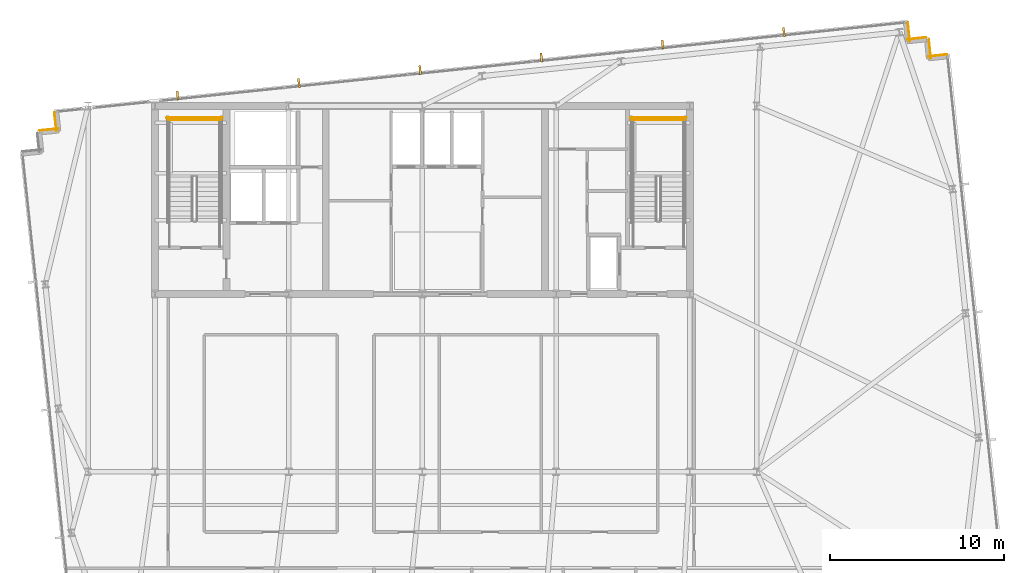
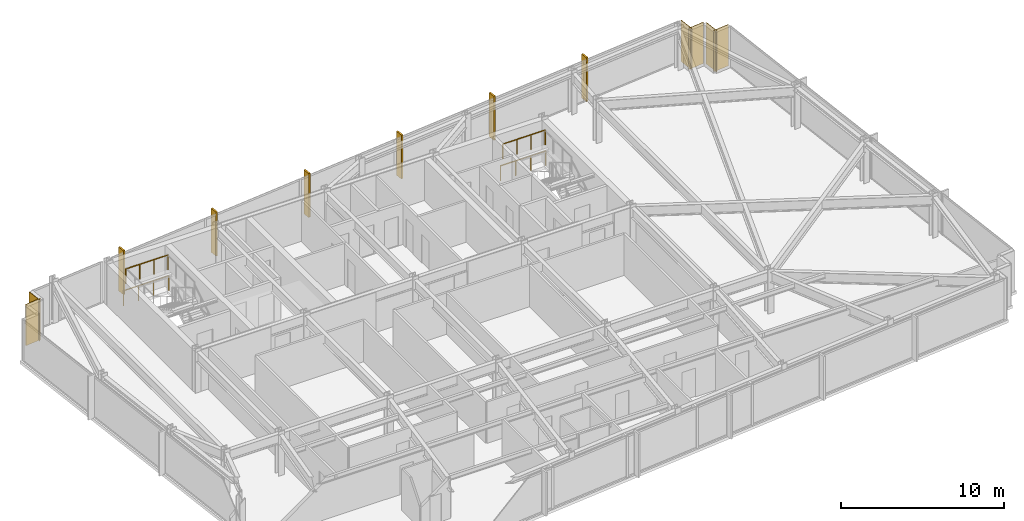
# One storey, part 32 of 32: 6 coverings, 6 shading devices, 4 railings.
"""IFC4 building model written with IfcOpenShell, lengths in metres."""

from ifc_helpers import new_model, si_unit, direction, frame, frame_2d, origin, origin_2d, place, context, subcontext, project, spatial, rectangle, circle, extrude, material, layer, layer_set, type_object, element, save


model = new_model("IFC4")

# Units and contexts
model_context = context("Model", 3, precision=1e-05, world=origin(), true_north=direction((0.0, 1.0)))
body_context = subcontext(model_context, "Body", "Model", "MODEL_VIEW")
ifc_project = project(units=[si_unit("LENGTHUNIT", "METRE"), si_unit("AREAUNIT", "SQUARE_METRE"), si_unit("VOLUMEUNIT", "CUBIC_METRE"), si_unit("PLANEANGLEUNIT", "RADIAN"), si_unit("MASSUNIT", "GRAM", prefix="KILO")], contexts=[model_context])

# Site, building, storey
site_placement = place(None, origin())
site = spatial("IfcSite", under=ifc_project, at=site_placement, CompositionType="ELEMENT")
building_placement = place(site_placement, origin())
building = spatial("IfcBuilding", under=site, at=building_placement, Name="Yelkora Congress Tower", CompositionType="ELEMENT")
storey_placement = place(building_placement, frame((0.0, 0.0, 211.10009765625)))
storey = spatial("IfcBuildingStorey", under=building, at=storey_placement, Name="L58", CompositionType="ELEMENT", Elevation=211.10009765625)

# Coverings
ifc_material_1 = material(Name="Anatolian bush-hammered limestone", Category="masonry")
ifc_layer_1 = layer(ifc_material_1, 0.0400390625)
ifc_layer_set_1 = layer_set([ifc_layer_1], Name="Anatolian bush-hammered limestone")
covering_type = type_object("IfcCoveringType", Name="COV-CLAD-SPANDREL-40", PredefinedType="CLADDING", material=ifc_layer_set_1)
for number, where, z_axis, x_axis, name in (
    (1, (16.406005859375, 44.7880859375, 0.0), (0.0, 0.0, 1.0), (0.994544300928, 0.104315068386, 0.0), "L58 Anatolian Limestone Cladding EW-L58-SR08"),
    (2, (17.379638671875, 44.75439453125, 0.0), (0.0, 0.0, 1.0), (-0.104534592565, 0.994521251134, 0.0), "L58 Anatolian Limestone Cladding EW-L58-SR09"),
    (3, (66.284912109375, 51.000732421875, 0.0), (0.0, 0.0, 1.0), (0.104534592565, -0.994521251134, 0.0), "L58 Anatolian Limestone Cladding EW-L58-SR11"),
):
    element("IfcCovering", number, at=place(storey_placement, frame(where, z_axis=z_axis, x_axis=x_axis)), inside=storey, type_object=covering_type, Name=name, PredefinedType="CLADDING", context=body_context, shape_type="SweptSolid", body=[
        extrude(rectangle(XDim=1.10009765625, YDim=0.0400390625, at=frame_2d((0.550048828125, 0.0))), origin(), (0.0, 0.0, 1.0), 3.079833984375),
    ])
covering_placement = place(storey_placement, frame((66.25146484375, 50.02685546875, 0.0), z_axis=(0.0, 0.0, 1.0), x_axis=(0.994518825066, 0.104557671117, 0.0)))
element("IfcCovering", 4, at=covering_placement, inside=storey, type_object=covering_type, Name="L58 Anatolian Limestone Cladding EW-L58-SR12", PredefinedType="CLADDING", context=body_context, shape_type="SweptSolid", body=[
    extrude(rectangle(XDim=1.099853515625, YDim=0.0400390625, at=frame_2d((0.5498046875, 0.0))), origin(), (0.0, 0.0, 1.0), 3.079833984375),
])
for number, where, z_axis, x_axis, name in (
    (5, (67.49365234375, 50.021728515625, 0.0), (0.0, 0.0, 1.0), (0.104534592565, -0.994521251134, 0.0), "L58 Anatolian Limestone Cladding EW-L58-SR13"),
    (6, (67.460205078125, 49.0478515625, 0.0), (0.0, 0.0, 1.0), (0.994521251134, 0.104534592565, 0.0), "L58 Anatolian Limestone Cladding EW-L58-SR14"),
):
    element("IfcCovering", number, at=place(storey_placement, frame(where, z_axis=z_axis, x_axis=x_axis)), inside=storey, type_object=covering_type, Name=name, PredefinedType="CLADDING", context=body_context, shape_type="SweptSolid", body=[
        extrude(rectangle(XDim=1.10009765625, YDim=0.0400390625, at=frame_2d((0.550048828125, 0.0))), origin(), (0.0, 0.0, 1.0), 3.079833984375),
    ])

# Railings
ifc_material_2 = material(Name="Painted galvanised steel stair well guard with vertical infill", Category="steel")
ifc_layer_2 = layer(ifc_material_2, 0.06005859375)
ifc_layer_set_2 = layer_set([ifc_layer_2], Name="Painted galvanised steel stair well guard with vertical infill")
railing_type = type_object("IfcRailingType", Name="RAIL-STAIR-GUARD-1120", PredefinedType="GUARDRAIL", material=ifc_layer_set_2)
railing_1_placement = place(storey_placement, frame((26.820068359375, 45.419921875, 1.64990234375)))
element("IfcRailing", 7, at=railing_1_placement, inside=storey, type_object=railing_type, Name="ST-01 L58 Stair Well Guardrail 5", PredefinedType="GUARDRAIL", context=body_context, shape_type="SweptSolid", body=[
    extrude(circle(Radius=0.02392578125, at=origin_2d()), frame((0.0, 0.0, 1.09619140625), z_axis=(-1.0, 0.0, 0.0), x_axis=(0.0, -1.0, 0.0)), (0.0, 0.0, 1.0), 3.0),
    extrude(circle(Radius=0.02099609375, at=origin_2d()), origin(), (0.0, 0.0, 1.0), 1.072021484375),
    extrude(circle(Radius=0.02099609375, at=origin_2d()), frame((-1.0, 0.0, 0.0)), (0.0, 0.0, 1.0), 1.072021484375),
    extrude(circle(Radius=0.02099609375, at=origin_2d()), frame((-2.0, 0.0, 0.0)), (0.0, 0.0, 1.0), 1.072021484375),
    extrude(circle(Radius=0.02099609375, at=origin_2d()), frame((-3.0, 0.0, 0.0)), (0.0, 0.0, 1.0), 1.072021484375),
])
railing_2_placement = place(storey_placement, frame((26.919921875, 45.52001953125, 0.0)))
element("IfcRailing", 8, at=railing_2_placement, inside=storey, type_object=railing_type, Name="ST-01 L58 Stair Well Guardrail 12", PredefinedType="GUARDRAIL", context=body_context, shape_type="SweptSolid", body=[
    extrude(circle(Radius=0.02392578125, at=origin_2d()), frame((0.0, 0.0, 1.09619140625), z_axis=(-1.0, 0.0, 0.0), x_axis=(0.0, -1.0, 0.0)), (0.0, 0.0, 1.0), 3.199951171875),
    extrude(circle(Radius=0.02099609375, at=origin_2d()), origin(), (0.0, 0.0, 1.0), 1.072021484375),
    extrude(circle(Radius=0.02099609375, at=origin_2d()), frame((-1.066650390625, 0.0, 0.0)), (0.0, 0.0, 1.0), 1.072021484375),
    extrude(circle(Radius=0.02099609375, at=origin_2d()), frame((-2.13330078125, 0.0, 0.0)), (0.0, 0.0, 1.0), 1.072021484375),
    extrude(circle(Radius=0.02099609375, at=origin_2d()), frame((-3.199951171875, 0.0, 0.0)), (0.0, 0.0, 1.0), 1.072021484375),
])
railing_3_placement = place(storey_placement, frame((53.4599609375, 45.419921875, 1.64990234375)))
element("IfcRailing", 9, at=railing_3_placement, inside=storey, type_object=railing_type, Name="ST-02 L58 Stair Well Guardrail 5", PredefinedType="GUARDRAIL", context=body_context, shape_type="SweptSolid", body=[
    extrude(circle(Radius=0.02392578125, at=origin_2d()), frame((0.0, 0.0, 1.09619140625), z_axis=(-1.0, 0.0, 0.0), x_axis=(0.0, -1.0, 0.0)), (0.0, 0.0, 1.0), 3.0),
    extrude(circle(Radius=0.02099609375, at=origin_2d()), origin(), (0.0, 0.0, 1.0), 1.072021484375),
    extrude(circle(Radius=0.02099609375, at=origin_2d()), frame((-1.0, 0.0, 0.0)), (0.0, 0.0, 1.0), 1.072021484375),
    extrude(circle(Radius=0.02099609375, at=origin_2d()), frame((-2.0, 0.0, 0.0)), (0.0, 0.0, 1.0), 1.072021484375),
    extrude(circle(Radius=0.02099609375, at=origin_2d()), frame((-3.0, 0.0, 0.0)), (0.0, 0.0, 1.0), 1.072021484375),
])
railing_4_placement = place(storey_placement, frame((53.56005859375, 45.52001953125, 0.0)))
element("IfcRailing", 10, at=railing_4_placement, inside=storey, type_object=railing_type, Name="ST-02 L58 Stair Well Guardrail 12", PredefinedType="GUARDRAIL", context=body_context, shape_type="SweptSolid", body=[
    extrude(circle(Radius=0.02392578125, at=origin_2d()), frame((0.0, 0.0, 1.09619140625), z_axis=(-1.0, 0.0, 0.0), x_axis=(0.0, -1.0, 0.0)), (0.0, 0.0, 1.0), 3.199951171875),
    extrude(circle(Radius=0.02099609375, at=origin_2d()), origin(), (0.0, 0.0, 1.0), 1.072021484375),
    extrude(circle(Radius=0.02099609375, at=origin_2d()), frame((-1.066650390625, 0.0, 0.0)), (0.0, 0.0, 1.0), 1.072021484375),
    extrude(circle(Radius=0.02099609375, at=origin_2d()), frame((-2.13330078125, 0.0, 0.0)), (0.0, 0.0, 1.0), 1.072021484375),
    extrude(circle(Radius=0.02099609375, at=origin_2d()), frame((-3.199951171875, 0.0, 0.0)), (0.0, 0.0, 1.0), 1.072021484375),
])

# Shading devices
ifc_material_3 = material(Name="Champagne anodised aluminium", Category="aluminium")
ifc_layer_3 = layer(ifc_material_3, 3.300048828125)
ifc_layer_set_3 = layer_set([ifc_layer_3], Name="Champagne anodised aluminium")
shading_device_type = type_object("IfcShadingDeviceType", Name="SHD-FIN-ALU-520", PredefinedType="USERDEFINED", material=ifc_layer_set_3)
for number, where, z_axis, x_axis, name in (
    (11, (24.342529296875, 46.79345703125, -0.0302734375), (0.0, 0.0, 1.0), (0.994521895368, 0.104528463268, 0.0), "L58 Vertical Anodised Solar Fin 10-1"),
    (12, (31.30712890625, 47.525390625, -0.0302734375), (0.0, 0.0, 1.0), (0.994521895368, 0.104528463268, 0.0), "L58 Vertical Anodised Solar Fin 10-2"),
    (13, (38.271484375, 48.257568359375, -0.0302734375), (0.0, 0.0, 1.0), (0.994521895368, 0.104528463268, 0.0), "L58 Vertical Anodised Solar Fin 10-3"),
    (14, (45.236083984375, 48.989501953125, -0.0302734375), (0.0, 0.0, 1.0), (0.994521895368, 0.104528463268, 0.0), "L58 Vertical Anodised Solar Fin 10-4"),
    (15, (52.20068359375, 49.721435546875, -0.0302734375), (0.0, 0.0, 1.0), (0.994521895368, 0.104528463268, 0.0), "L58 Vertical Anodised Solar Fin 10-5"),
    (16, (59.1650390625, 50.45361328125, -0.0302734375), (0.0, 0.0, 1.0), (0.994521895368, 0.104528463268, 0.0), "L58 Vertical Anodised Solar Fin 10-6"),
):
    element("IfcShadingDevice", number, at=place(storey_placement, frame(where, z_axis=z_axis, x_axis=x_axis)), inside=storey, type_object=shading_device_type, Name=name, ObjectType="FIN", PredefinedType="USERDEFINED", context=body_context, shape_type="SweptSolid", body=[
        extrude(rectangle(XDim=0.1201171875, YDim=0.52001953125, at=origin_2d()), origin(), (0.0, 0.0, 1.0), 3.280029296875),
    ])

save(model, "model.ifc")
